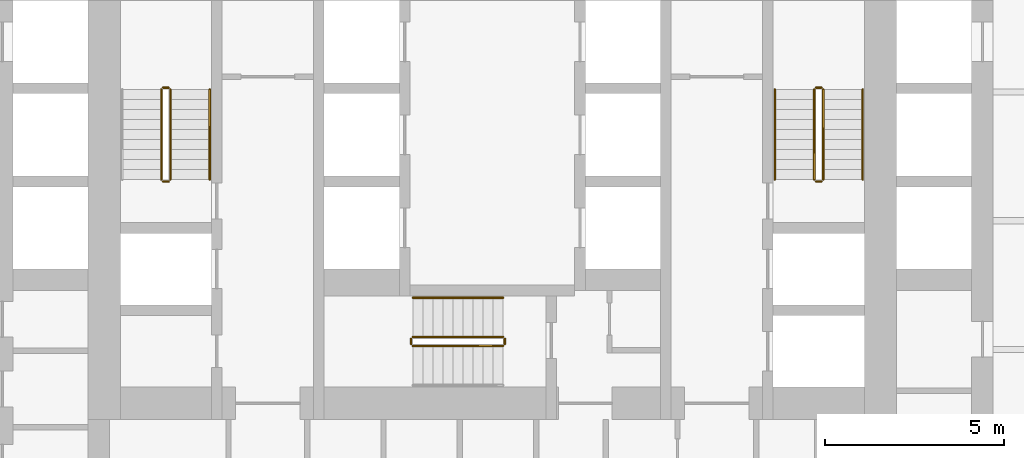
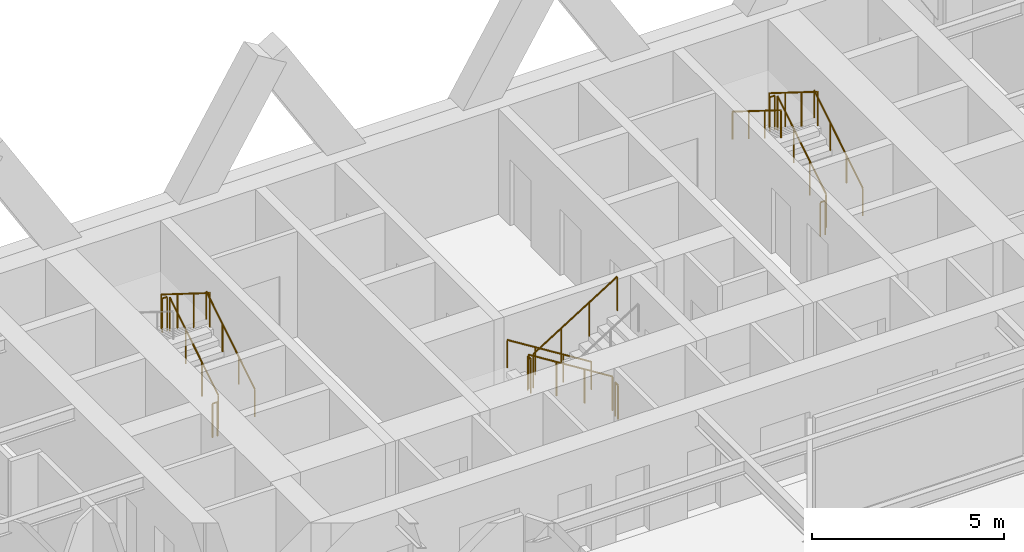
# One storey, part 10 of 10: 16 railings.
"""IFC4 building model written with IfcOpenShell, lengths in metres."""

from ifc_helpers import new_model, si_unit, direction, frame, origin, origin_2d, place, context, subcontext, project, spatial, circle, extrude, material, type_object, element, save


model = new_model("IFC4")

# Units and contexts
model_context = context("Model", 3, precision=1e-05, world=origin(), true_north=direction((0.0, 1.0)))
body_context = subcontext(model_context, "Body", "Model", "MODEL_VIEW")
ifc_project = project(units=[si_unit("LENGTHUNIT", "METRE"), si_unit("AREAUNIT", "SQUARE_METRE"), si_unit("VOLUMEUNIT", "CUBIC_METRE"), si_unit("PLANEANGLEUNIT", "RADIAN"), si_unit("MASSUNIT", "GRAM", prefix="KILO")], contexts=[model_context])

# Site, building, storey
site_placement = place(None, origin())
site = spatial("IfcSite", under=ifc_project, at=site_placement, CompositionType="ELEMENT")
building_placement = place(site_placement, origin())
building = spatial("IfcBuilding", under=site, at=building_placement, Name="Aloe Facet Convention Tower", CompositionType="ELEMENT")
storey_placement = place(building_placement, frame((0.0, 0.0, 116.800048828125)))
storey = spatial("IfcBuildingStorey", under=building, at=storey_placement, Name="L29", CompositionType="ELEMENT", Elevation=116.800048828125)

# Railings
ifc_material_1 = material(Name="Steel S355 balustrade", Category="steel")
railing_type_1 = type_object("IfcRailingType", Name="CR-RL-GUARD", PredefinedType="GUARDRAIL", material=ifc_material_1)
railing_1_placement = place(storey_placement, frame((71.0, 128.949951171875, 0.175048828125)))
element("IfcRailing", 1, at=railing_1_placement, inside=storey, type_object=railing_type_1, Name="L29 ST1 stair guard 1", PredefinedType="GUARDRAIL", context=body_context, shape_type="SweptSolid", body=[
    extrude(circle(Radius=0.02392578125, at=origin_2d()), frame((0.0, 0.0, 1.076171875), z_axis=(0.0, 0.848007534815, 0.529984170421), x_axis=(-1.0, 0.0, 0.0)), (0.0, 0.0, 1.0), 2.9716796875),
    extrude(circle(Radius=0.02099609375, at=origin_2d()), origin(), (0.0, 0.0, 1.0), 1.052001953125),
    extrude(circle(Radius=0.02099609375, at=origin_2d()), frame((0.0, 0.840087890625, 0.52490234375)), (0.0, 0.0, 1.0), 1.052001953125),
    extrude(circle(Radius=0.02099609375, at=origin_2d()), frame((0.0, 1.679931640625, 1.050048828125)), (0.0, 0.0, 1.0), 1.052001953125),
    extrude(circle(Radius=0.02099609375, at=origin_2d()), frame((0.0, 2.52001953125, 1.574951171875)), (0.0, 0.0, 1.0), 1.052001953125),
])
railing_2_placement = place(storey_placement, frame((70.949951171875, 131.52001953125, 1.75)))
element("IfcRailing", 2, at=railing_2_placement, inside=storey, type_object=railing_type_1, Name="L29 ST1 stair guard 2", PredefinedType="GUARDRAIL", context=body_context, shape_type="SweptSolid", body=[
    extrude(circle(Radius=0.02392578125, at=origin_2d()), frame((0.0, 0.0, 1.076171875), z_axis=(-1.0, 0.0, 0.0), x_axis=(0.0, -1.0, 0.0)), (0.0, 0.0, 1.0), 0.14990234375),
    extrude(circle(Radius=0.02099609375, at=origin_2d()), origin(), (0.0, 0.0, 1.0), 1.052001953125),
    extrude(circle(Radius=0.02099609375, at=origin_2d()), frame((-0.14990234375, 0.0, 0.0)), (0.0, 0.0, 1.0), 1.052001953125),
])
railing_3_placement = place(storey_placement, frame((70.75, 131.469970703125, 1.925048828125)))
element("IfcRailing", 3, at=railing_3_placement, inside=storey, type_object=railing_type_1, Name="L29 ST1 stair guard 3", PredefinedType="GUARDRAIL", context=body_context, shape_type="SweptSolid", body=[
    extrude(circle(Radius=0.02392578125, at=origin_2d()), frame((0.0, 0.0, 1.076171875), z_axis=(0.0, -0.848007534815, 0.529984170421), x_axis=(1.0, 0.0, 0.0)), (0.0, 0.0, 1.0), 2.9716796875),
    extrude(circle(Radius=0.02099609375, at=origin_2d()), origin(), (0.0, 0.0, 1.0), 1.052001953125),
    extrude(circle(Radius=0.02099609375, at=origin_2d()), frame((0.0, -0.840087890625, 0.52490234375)), (0.0, 0.0, 1.0), 1.052001953125),
    extrude(circle(Radius=0.02099609375, at=origin_2d()), frame((0.0, -1.679931640625, 1.050048828125)), (0.0, 0.0, 1.0), 1.052001953125),
    extrude(circle(Radius=0.02099609375, at=origin_2d()), frame((0.0, -2.52001953125, 1.574951171875)), (0.0, 0.0, 1.0), 1.052001953125),
])
railing_4_placement = place(storey_placement, frame((70.949951171875, 128.89990234375, 0.0)))
element("IfcRailing", 4, at=railing_4_placement, inside=storey, type_object=railing_type_1, Name="L29 ST1 stair guard 4", PredefinedType="GUARDRAIL", context=body_context, shape_type="SweptSolid", body=[
    extrude(circle(Radius=0.02392578125, at=origin_2d()), frame((0.0, 0.0, 1.076171875), z_axis=(-1.0, 0.0, 0.0), x_axis=(0.0, -1.0, 0.0)), (0.0, 0.0, 1.0), 0.14990234375),
    extrude(circle(Radius=0.02099609375, at=origin_2d()), origin(), (0.0, 0.0, 1.0), 1.052001953125),
    extrude(circle(Radius=0.02099609375, at=origin_2d()), frame((-0.14990234375, 0.0, 0.0)), (0.0, 0.0, 1.0), 1.052001953125),
])
railing_5_placement = place(storey_placement, frame((89.25, 128.949951171875, 0.175048828125)))
element("IfcRailing", 5, at=railing_5_placement, inside=storey, type_object=railing_type_1, Name="L29 ST2 stair guard 1", PredefinedType="GUARDRAIL", context=body_context, shape_type="SweptSolid", body=[
    extrude(circle(Radius=0.02392578125, at=origin_2d()), frame((0.0, 0.0, 1.076171875), z_axis=(0.0, 0.848007534815, 0.529984170421), x_axis=(-1.0, 0.0, 0.0)), (0.0, 0.0, 1.0), 2.9716796875),
    extrude(circle(Radius=0.02099609375, at=origin_2d()), origin(), (0.0, 0.0, 1.0), 1.052001953125),
    extrude(circle(Radius=0.02099609375, at=origin_2d()), frame((0.0, 0.840087890625, 0.52490234375)), (0.0, 0.0, 1.0), 1.052001953125),
    extrude(circle(Radius=0.02099609375, at=origin_2d()), frame((0.0, 1.679931640625, 1.050048828125)), (0.0, 0.0, 1.0), 1.052001953125),
    extrude(circle(Radius=0.02099609375, at=origin_2d()), frame((0.0, 2.52001953125, 1.574951171875)), (0.0, 0.0, 1.0), 1.052001953125),
])
railing_6_placement = place(storey_placement, frame((89.199951171875, 131.52001953125, 1.75)))
element("IfcRailing", 6, at=railing_6_placement, inside=storey, type_object=railing_type_1, Name="L29 ST2 stair guard 2", PredefinedType="GUARDRAIL", context=body_context, shape_type="SweptSolid", body=[
    extrude(circle(Radius=0.02392578125, at=origin_2d()), frame((0.0, 0.0, 1.076171875), z_axis=(-1.0, 0.0, 0.0), x_axis=(0.0, -1.0, 0.0)), (0.0, 0.0, 1.0), 0.14990234375),
    extrude(circle(Radius=0.02099609375, at=origin_2d()), origin(), (0.0, 0.0, 1.0), 1.052001953125),
    extrude(circle(Radius=0.02099609375, at=origin_2d()), frame((-0.14990234375, 0.0, 0.0)), (0.0, 0.0, 1.0), 1.052001953125),
])
railing_7_placement = place(storey_placement, frame((89.0, 131.469970703125, 1.925048828125)))
element("IfcRailing", 7, at=railing_7_placement, inside=storey, type_object=railing_type_1, Name="L29 ST2 stair guard 3", PredefinedType="GUARDRAIL", context=body_context, shape_type="SweptSolid", body=[
    extrude(circle(Radius=0.02392578125, at=origin_2d()), frame((0.0, 0.0, 1.076171875), z_axis=(0.0, -0.848007534815, 0.529984170421), x_axis=(1.0, 0.0, 0.0)), (0.0, 0.0, 1.0), 2.9716796875),
    extrude(circle(Radius=0.02099609375, at=origin_2d()), origin(), (0.0, 0.0, 1.0), 1.052001953125),
    extrude(circle(Radius=0.02099609375, at=origin_2d()), frame((0.0, -0.840087890625, 0.52490234375)), (0.0, 0.0, 1.0), 1.052001953125),
    extrude(circle(Radius=0.02099609375, at=origin_2d()), frame((0.0, -1.679931640625, 1.050048828125)), (0.0, 0.0, 1.0), 1.052001953125),
    extrude(circle(Radius=0.02099609375, at=origin_2d()), frame((0.0, -2.52001953125, 1.574951171875)), (0.0, 0.0, 1.0), 1.052001953125),
])
railing_8_placement = place(storey_placement, frame((89.199951171875, 128.89990234375, 0.0)))
element("IfcRailing", 8, at=railing_8_placement, inside=storey, type_object=railing_type_1, Name="L29 ST2 stair guard 4", PredefinedType="GUARDRAIL", context=body_context, shape_type="SweptSolid", body=[
    extrude(circle(Radius=0.02392578125, at=origin_2d()), frame((0.0, 0.0, 1.076171875), z_axis=(-1.0, 0.0, 0.0), x_axis=(0.0, -1.0, 0.0)), (0.0, 0.0, 1.0), 0.14990234375),
    extrude(circle(Radius=0.02099609375, at=origin_2d()), origin(), (0.0, 0.0, 1.0), 1.052001953125),
    extrude(circle(Radius=0.02099609375, at=origin_2d()), frame((-0.14990234375, 0.0, 0.0)), (0.0, 0.0, 1.0), 1.052001953125),
])
railing_9_placement = place(storey_placement, frame((80.300048828125, 124.550048828125, 0.175048828125)))
element("IfcRailing", 9, at=railing_9_placement, inside=storey, type_object=railing_type_1, Name="L29 ST3 stair guard 1", PredefinedType="GUARDRAIL", context=body_context, shape_type="SweptSolid", body=[
    extrude(circle(Radius=0.02392578125, at=origin_2d()), frame((0.0, 0.0, 1.076171875), z_axis=(-0.848007534815, 0.0, 0.529984170421), x_axis=(0.0, -1.0, 0.0)), (0.0, 0.0, 1.0), 2.9716796875),
    extrude(circle(Radius=0.02099609375, at=origin_2d()), origin(), (0.0, 0.0, 1.0), 1.052001953125),
    extrude(circle(Radius=0.02099609375, at=origin_2d()), frame((-0.840087890625, 0.0, 0.52490234375)), (0.0, 0.0, 1.0), 1.052001953125),
    extrude(circle(Radius=0.02099609375, at=origin_2d()), frame((-1.679931640625, 0.0, 1.050048828125)), (0.0, 0.0, 1.0), 1.052001953125),
    extrude(circle(Radius=0.02099609375, at=origin_2d()), frame((-2.52001953125, 0.0, 1.574951171875)), (0.0, 0.0, 1.0), 1.052001953125),
])
railing_10_placement = place(storey_placement, frame((77.72998046875, 124.5, 1.75)))
element("IfcRailing", 10, at=railing_10_placement, inside=storey, type_object=railing_type_1, Name="L29 ST3 stair guard 2", PredefinedType="GUARDRAIL", context=body_context, shape_type="SweptSolid", body=[
    extrude(circle(Radius=0.02392578125, at=origin_2d()), frame((0.0, 0.0, 1.076171875), z_axis=(0.0, -1.0, 0.0), x_axis=(1.0, 0.0, 0.0)), (0.0, 0.0, 1.0), 0.14990234375),
    extrude(circle(Radius=0.02099609375, at=origin_2d()), origin(), (0.0, 0.0, 1.0), 1.052001953125),
    extrude(circle(Radius=0.02099609375, at=origin_2d()), frame((0.0, -0.14990234375, 0.0)), (0.0, 0.0, 1.0), 1.052001953125),
])
railing_11_placement = place(storey_placement, frame((77.780029296875, 124.300048828125, 1.925048828125)))
element("IfcRailing", 11, at=railing_11_placement, inside=storey, type_object=railing_type_1, Name="L29 ST3 stair guard 3", PredefinedType="GUARDRAIL", context=body_context, shape_type="SweptSolid", body=[
    extrude(circle(Radius=0.02392578125, at=origin_2d()), frame((0.0, 0.0, 1.076171875), z_axis=(0.848007534815, 0.0, 0.529984170421), x_axis=(0.0, 1.0, 0.0)), (0.0, 0.0, 1.0), 2.9716796875),
    extrude(circle(Radius=0.02099609375, at=origin_2d()), origin(), (0.0, 0.0, 1.0), 1.052001953125),
    extrude(circle(Radius=0.02099609375, at=origin_2d()), frame((0.840087890625, 0.0, 0.52490234375)), (0.0, 0.0, 1.0), 1.052001953125),
    extrude(circle(Radius=0.02099609375, at=origin_2d()), frame((1.679931640625, 0.0, 1.050048828125)), (0.0, 0.0, 1.0), 1.052001953125),
    extrude(circle(Radius=0.02099609375, at=origin_2d()), frame((2.52001953125, 0.0, 1.574951171875)), (0.0, 0.0, 1.0), 1.052001953125),
])
railing_12_placement = place(storey_placement, frame((80.35009765625, 124.5, 0.0)))
element("IfcRailing", 12, at=railing_12_placement, inside=storey, type_object=railing_type_1, Name="L29 ST3 stair guard 4", PredefinedType="GUARDRAIL", context=body_context, shape_type="SweptSolid", body=[
    extrude(circle(Radius=0.02392578125, at=origin_2d()), frame((0.0, 0.0, 1.076171875), z_axis=(0.0, -1.0, 0.0), x_axis=(1.0, 0.0, 0.0)), (0.0, 0.0, 1.0), 0.14990234375),
    extrude(circle(Radius=0.02099609375, at=origin_2d()), origin(), (0.0, 0.0, 1.0), 1.052001953125),
    extrude(circle(Radius=0.02099609375, at=origin_2d()), frame((0.0, -0.14990234375, 0.0)), (0.0, 0.0, 1.0), 1.052001953125),
])
ifc_material_2 = material(Name="Steel S355 handrail", Category="steel")
railing_type_2 = type_object("IfcRailingType", Name="CR-RL-HAND", PredefinedType="HANDRAIL", material=ifc_material_2)
for number, where, name in (
    (13, (72.10009765625, 128.949951171875, 0.175048828125), "L29 ST1 stair handrail 1"),
    (14, (90.35009765625, 128.949951171875, 0.175048828125), "L29 ST2 stair handrail 1"),
):
    element("IfcRailing", number, at=place(storey_placement, frame(where)), inside=storey, type_object=railing_type_2, Name=name, PredefinedType="HANDRAIL", context=body_context, shape_type="SweptSolid", body=[
        extrude(circle(Radius=0.02392578125, at=origin_2d()), frame((0.0, 0.0, 0.8759765625), z_axis=(0.0, 0.848007534815, 0.529984170421), x_axis=(-1.0, 0.0, 0.0)), (0.0, 0.0, 1.0), 2.9716796875),
        extrude(circle(Radius=0.02099609375, at=origin_2d()), origin(), (0.0, 0.0, 1.0), 0.851806640625),
        extrude(circle(Radius=0.02099609375, at=origin_2d()), frame((0.0, 0.840087890625, 0.52490234375)), (0.0, 0.0, 1.0), 0.851806640625),
        extrude(circle(Radius=0.02099609375, at=origin_2d()), frame((0.0, 1.679931640625, 1.050048828125)), (0.0, 0.0, 1.0), 0.851806640625),
        extrude(circle(Radius=0.02099609375, at=origin_2d()), frame((0.0, 2.52001953125, 1.574951171875)), (0.0, 0.0, 1.0), 0.851806640625),
    ])
railing_13_placement = place(storey_placement, frame((87.89990234375, 131.469970703125, 1.925048828125)))
element("IfcRailing", 15, at=railing_13_placement, inside=storey, type_object=railing_type_2, Name="L29 ST2 stair handrail 2", PredefinedType="HANDRAIL", context=body_context, shape_type="SweptSolid", body=[
    extrude(circle(Radius=0.02392578125, at=origin_2d()), frame((0.0, 0.0, 0.8759765625), z_axis=(0.0, -0.848007534815, 0.529984170421), x_axis=(1.0, 0.0, 0.0)), (0.0, 0.0, 1.0), 2.9716796875),
    extrude(circle(Radius=0.02099609375, at=origin_2d()), origin(), (0.0, 0.0, 1.0), 0.851806640625),
    extrude(circle(Radius=0.02099609375, at=origin_2d()), frame((0.0, -0.840087890625, 0.52490234375)), (0.0, 0.0, 1.0), 0.851806640625),
    extrude(circle(Radius=0.02099609375, at=origin_2d()), frame((0.0, -1.679931640625, 1.050048828125)), (0.0, 0.0, 1.0), 0.851806640625),
    extrude(circle(Radius=0.02099609375, at=origin_2d()), frame((0.0, -2.52001953125, 1.574951171875)), (0.0, 0.0, 1.0), 0.851806640625),
])
railing_14_placement = place(storey_placement, frame((80.300048828125, 125.64990234375, 0.175048828125)))
element("IfcRailing", 16, at=railing_14_placement, inside=storey, type_object=railing_type_2, Name="L29 ST3 stair handrail 1", PredefinedType="HANDRAIL", context=body_context, shape_type="SweptSolid", body=[
    extrude(circle(Radius=0.02392578125, at=origin_2d()), frame((0.0, 0.0, 0.8759765625), z_axis=(-0.848007534815, 0.0, 0.529984170421), x_axis=(0.0, -1.0, 0.0)), (0.0, 0.0, 1.0), 2.9716796875),
    extrude(circle(Radius=0.02099609375, at=origin_2d()), origin(), (0.0, 0.0, 1.0), 0.851806640625),
    extrude(circle(Radius=0.02099609375, at=origin_2d()), frame((-0.840087890625, 0.0, 0.52490234375)), (0.0, 0.0, 1.0), 0.851806640625),
    extrude(circle(Radius=0.02099609375, at=origin_2d()), frame((-1.679931640625, 0.0, 1.050048828125)), (0.0, 0.0, 1.0), 0.851806640625),
    extrude(circle(Radius=0.02099609375, at=origin_2d()), frame((-2.52001953125, 0.0, 1.574951171875)), (0.0, 0.0, 1.0), 0.851806640625),
])

save(model, "model.ifc")
